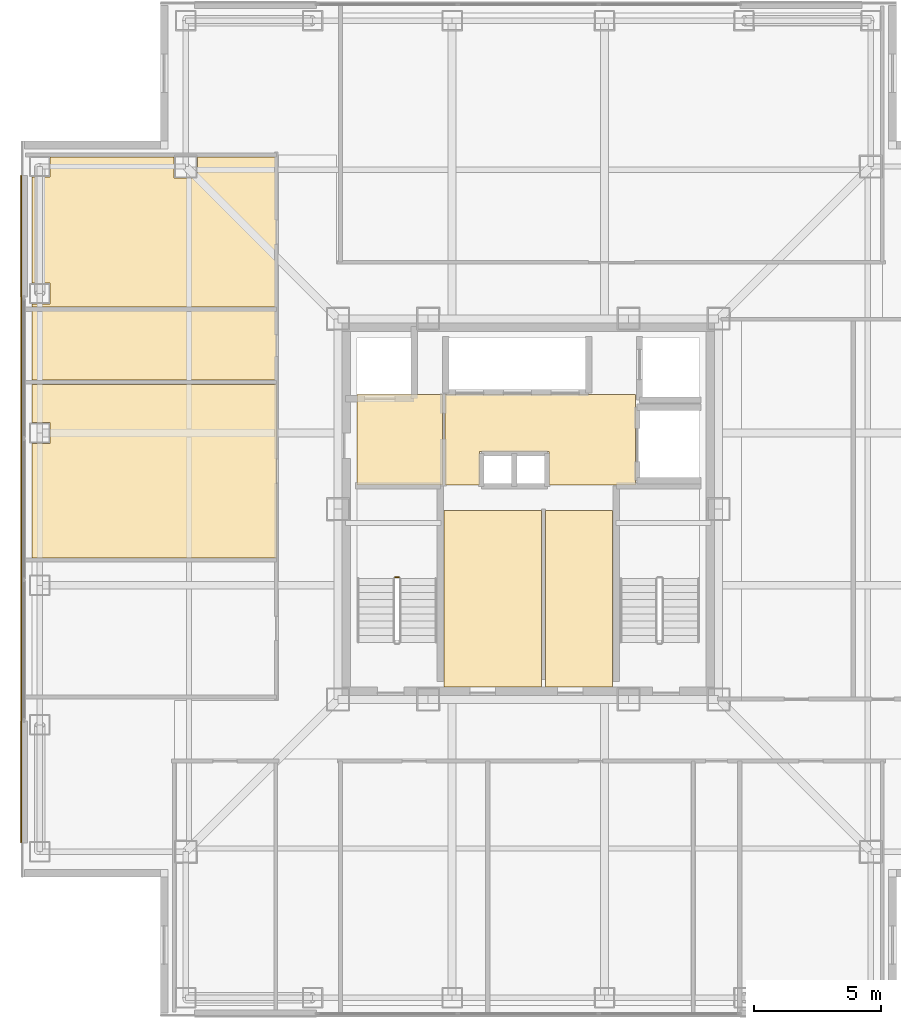
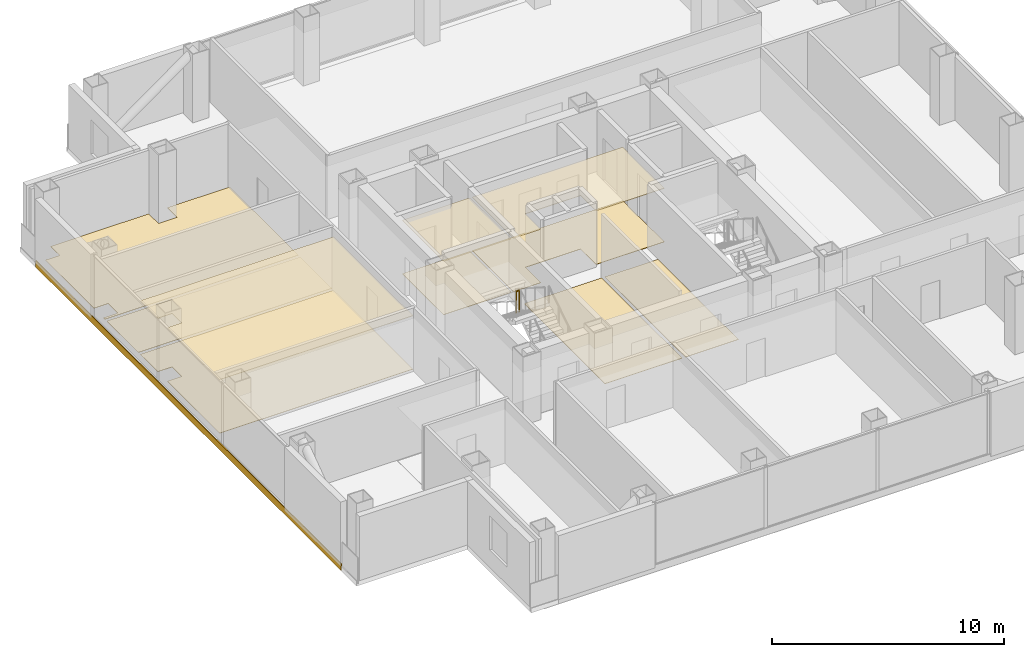
# One storey, part 14 of 17: 11 coverings, 1 railing.
"""IFC4 building model written with IfcOpenShell, lengths in metres."""

import ifcopenshell
import ifcopenshell.guid

model = None  # the IFC model being written
_history = None  # IfcOwnerHistory: only IFC2X3 demands one
_inside = {}  # id of a spatial element -> (the spatial element, [elements in it])
_under = {}  # id of a project, library or spatial element -> (it, [spatial elements below it])
_declared = {}  # id of a project -> (the project, [libraries it declares])
_typed = {}  # id of a type object -> (the type object, [elements of that type])
_made_of = {}  # id of a material, layer set ... -> (it, [elements and type objects made of it])


def new_model(schema):
    """Start an empty IFC model of exactly this schema.

    Asked for "IFC4X3", IfcOpenShell would pick the latest addendum, in which some entities
    have other attributes; the version numbers below select the first issue.
    IFC2X3 requires an IfcOwnerHistory on every rooted entity: one is made here for all.
    """
    global model, _history
    if schema == "IFC4X3":
        model = ifcopenshell.file(schema_version=(4, 3, 0, 0))
    else:
        model = ifcopenshell.file(schema=schema)
    _inside.clear()
    _under.clear()
    _declared.clear()
    _typed.clear()
    _made_of.clear()
    _history = None
    if model.schema == "IFC2X3":
        org = make("IfcOrganization", Name="unknown")
        user = make(
            "IfcPersonAndOrganization",
            ThePerson=make("IfcPerson", FamilyName="unknown"),
            TheOrganization=org,
        )
        app = make(
            "IfcApplication",
            ApplicationDeveloper=org,
            Version="unknown",
            ApplicationFullName="unknown",
            ApplicationIdentifier="unknown",
        )
        _history = make(
            "IfcOwnerHistory",
            OwningUser=user,
            OwningApplication=app,
            ChangeAction="ADDED",
            CreationDate=0,
        )
    return model


def make(cls, **values):
    """One entity of the class cls with the attributes given. An attribute that is None is left unset."""
    return model.create_entity(
        cls, **{name: value for name, value in values.items() if value is not None}
    )


def rooted(cls, **values):
    """An entity with a GlobalId (a new one), such as an element, a storey or a relation."""
    return make(cls, GlobalId=ifcopenshell.guid.new(), OwnerHistory=_history, **values)


def si_unit(unit_type, name, prefix=None):
    """IfcSIUnit, for example si_unit("LENGTHUNIT", "METRE", prefix="MILLI")."""
    return make("IfcSIUnit", UnitType=unit_type, Prefix=prefix, Name=name)


def assignment(units):
    """IfcUnitAssignment: the units of a project."""
    return None if units is None else make("IfcUnitAssignment", Units=units)


def point(xyz):
    """IfcCartesianPoint."""
    return None if xyz is None else make("IfcCartesianPoint", Coordinates=xyz)


def direction(xyz):
    """IfcDirection."""
    return None if xyz is None else make("IfcDirection", DirectionRatios=xyz)


def frame(location, z_axis=None, x_axis=None):
    """IfcAxis2Placement3D, a coordinate frame: its origin and axes. An axis left out is left unset."""
    return make(
        "IfcAxis2Placement3D",
        Location=point(location),
        Axis=direction(z_axis),
        RefDirection=direction(x_axis),
    )


def frame_2d(location, x_axis=None):
    """IfcAxis2Placement2D, a coordinate frame in the plane: its origin and x axis."""
    return make(
        "IfcAxis2Placement2D", Location=point(location), RefDirection=direction(x_axis)
    )


def origin():
    """The frame at (0, 0, 0) with its axes left unset."""
    return frame((0.0, 0.0, 0.0))


def origin_2d():
    """The frame at (0, 0) in the plane with its x axis left unset."""
    return frame_2d((0.0, 0.0))


def place(relative_to, where):
    """IfcLocalPlacement: puts the frame where relative to a parent placement (None: the world)."""
    return make(
        "IfcLocalPlacement", PlacementRelTo=relative_to, RelativePlacement=where
    )


def context(
    kind, dimensions, precision=None, world=None, true_north=None, identifier=None
):
    """IfcGeometricRepresentationContext, for example the 3D "Model" context."""
    return make(
        "IfcGeometricRepresentationContext",
        ContextIdentifier=identifier,
        ContextType=kind,
        CoordinateSpaceDimension=dimensions,
        Precision=precision,
        WorldCoordinateSystem=world,
        TrueNorth=true_north,
    )


def subcontext(parent, identifier, kind, view, scale=None):
    """IfcGeometricRepresentationSubContext, for example "Body" below "Model"."""
    return make(
        "IfcGeometricRepresentationSubContext",
        ContextIdentifier=identifier,
        ContextType=kind,
        ParentContext=parent,
        TargetScale=scale,
        TargetView=view,
    )


def project(units=None, contexts=None):
    """IfcProject with its units and contexts."""
    return rooted(
        "IfcProject",
        Name="project",
        RepresentationContexts=contexts,
        UnitsInContext=assignment(units),
    )


def spatial(cls, under=None, at=None, **own):
    """A site, building, storey or space (cls), placed at a placement, below another one or the project."""
    s = rooted(cls, ObjectPlacement=at, **own)
    if under is not None:
        _under.setdefault(under.id(), (under, []))[1].append(s)
    return s


def polyline(points):
    """IfcPolyline through the points."""
    return make("IfcPolyline", Points=[point(p) for p in points])


def profile(cls, at=None, kind="AREA", **sizes):
    """A parametric profile (cls). Its sizes go by their IFC names, for example OverallWidth=200.0."""
    return make(cls, ProfileType=kind, Position=at, **sizes)


def rectangle(**sizes):
    """IfcRectangleProfileDef."""
    return profile("IfcRectangleProfileDef", **sizes)


def circle(**sizes):
    """IfcCircleProfileDef."""
    return profile("IfcCircleProfileDef", **sizes)


def outline(outer, holes=None, kind="AREA"):
    """IfcArbitraryClosedProfileDef: a profile drawn as a closed curve; with holes, ...WithVoids."""
    if holes is None:
        return make("IfcArbitraryClosedProfileDef", ProfileType=kind, OuterCurve=outer)
    return make(
        "IfcArbitraryProfileDefWithVoids",
        ProfileType=kind,
        OuterCurve=outer,
        InnerCurves=holes,
    )


def extrude(swept, where, along, depth):
    """IfcExtrudedAreaSolid: the profile swept, set in the frame where, extruded along a direction by depth."""
    return make(
        "IfcExtrudedAreaSolid",
        SweptArea=swept,
        Position=where,
        ExtrudedDirection=direction(along),
        Depth=depth,
    )


def shape(context_of_items, identifier, shape_type, items):
    """IfcShapeRepresentation: the items that make up one representation, for example the "Body"."""
    return make(
        "IfcShapeRepresentation",
        ContextOfItems=context_of_items,
        RepresentationIdentifier=identifier,
        RepresentationType=shape_type,
        Items=items,
    )


def material(Name=None, Category=None):
    """IfcMaterial."""
    return make("IfcMaterial", Name=Name, Category=Category)


def layer(
    of_material, thickness, ventilated=None, Name=None, Category=None, Priority=None
):
    """IfcMaterialLayer: one layer of a wall or slab, of a material (None: an air gap)."""
    return make(
        "IfcMaterialLayer",
        Material=of_material,
        LayerThickness=thickness,
        IsVentilated=ventilated,
        Name=Name,
        Category=Category,
        Priority=Priority,
    )


def layer_set(layers, Name=None):
    """IfcMaterialLayerSet."""
    return make("IfcMaterialLayerSet", MaterialLayers=layers, LayerSetName=Name)


def made_of(thing, what):
    """Note that an element or type object is made of a material, layer set ...; save() writes the relation."""
    if what is not None:
        _made_of.setdefault(what.id(), (what, []))[1].append(thing)
    return thing


def type_object(cls, material=None, **own):
    """A type object (cls), such as IfcWallType, which elements share."""
    return made_of(rooted(cls, **own), material)


def element(
    cls,
    number,
    at=None,
    inside=None,
    cuts=None,
    type_object=None,
    material=None,
    context=None,
    identifier="Body",
    shape_type=None,
    held_by="IfcProductDefinitionShape",
    body=None,
    shapes=None,
    **own,
):
    """One element of the class cls, such as IfcWall. Its Tag is "e" and its number.

    at: its placement. inside: the storey or other place that contains it. cuts: it is an
    opening in that element (IfcRelVoidsElement). A single representation is given by context,
    identifier, shape_type and body (its items); several are given by shapes. held_by: the class
    of the entity that holds the representations. save() writes the other relations.
    """
    e = rooted(cls, Tag="e%d" % number, ObjectPlacement=at, **own)
    if body is not None:
        shapes = [shape(context, identifier, shape_type, body)]
    if shapes is not None:
        e.Representation = make(held_by, Representations=shapes)
    if inside is not None:
        _inside.setdefault(inside.id(), (inside, []))[1].append(e)
    if cuts is not None:
        rooted(
            "IfcRelVoidsElement", RelatingBuildingElement=cuts, RelatedOpeningElement=e
        )
    if type_object is not None:
        _typed.setdefault(type_object.id(), (type_object, []))[1].append(e)
    return made_of(e, material)


def aggregate(whole, parts):
    """IfcRelAggregates: a whole, such as a stair, and the parts it consists of."""
    return rooted("IfcRelAggregates", RelatingObject=whole, RelatedObjects=parts)


def save(model, path):
    """Write the relations noted so far, then the file.

    IfcRelAggregates (storeys below a building ...), IfcRelContainedInSpatialStructure (elements
    in a storey), IfcRelDefinesByType, IfcRelAssociatesMaterial and IfcRelDeclares: one each for
    every whole, place, type object, material and project.
    """
    for whole, parts in _under.values():
        aggregate(whole, parts)
    for where, things in _inside.values():
        rooted(
            "IfcRelContainedInSpatialStructure",
            RelatedElements=things,
            RelatingStructure=where,
        )
    for kind, things in _typed.values():
        rooted("IfcRelDefinesByType", RelatedObjects=things, RelatingType=kind)
    for what, things in _made_of.values():
        rooted("IfcRelAssociatesMaterial", RelatedObjects=things, RelatingMaterial=what)
    for by, libraries in _declared.values():
        rooted("IfcRelDeclares", RelatingContext=by, RelatedDefinitions=libraries)
    model.write(path)


model = new_model("IFC4")

# Units and contexts
model_context = context("Model", 3, precision=1e-05, world=origin(), true_north=direction((0.0, 1.0)))
body_context = subcontext(model_context, "Body", "Model", "MODEL_VIEW")
ifc_project = project(units=[si_unit("LENGTHUNIT", "METRE"), si_unit("AREAUNIT", "SQUARE_METRE"), si_unit("VOLUMEUNIT", "CUBIC_METRE"), si_unit("PLANEANGLEUNIT", "RADIAN"), si_unit("MASSUNIT", "GRAM", prefix="KILO")], contexts=[model_context])

# Site, building, storey
site_placement = place(None, origin())
site = spatial("IfcSite", under=ifc_project, at=site_placement, CompositionType="ELEMENT")
building_placement = place(site_placement, origin())
building = spatial("IfcBuilding", under=site, at=building_placement, Name="Trevonay Congress Spire", CompositionType="ELEMENT")
storey_placement = place(building_placement, frame((0.0, 0.0, 213.0)))
storey = spatial("IfcBuildingStorey", under=building, at=storey_placement, Name="L55", CompositionType="ELEMENT", Elevation=213.0)

# Coverings
ifc_material_1 = material(Name="Acoustic Mineral Fibre Board", Category="gypsum")
ifc_layer_1 = layer(ifc_material_1, 0.02490234375, Name="Acoustic Mineral Fibre Board")
ifc_layer_set_1 = layer_set([ifc_layer_1], Name="Acoustic Mineral Fibre Board")
covering_type_1 = type_object("IfcCoveringType", Name="COV-CEIL-ACOUSTIC", PredefinedType="CEILING", material=ifc_layer_set_1)
covering_1_placement = place(storey_placement, frame((0.0, 0.0, 2.81005859375)))
element("IfcCovering", 1, at=covering_1_placement, inside=storey, type_object=covering_type_1, Name="L55 Firefighting Lift Lobby West acoustic suspended ceiling", PredefinedType="CEILING", context=body_context, shape_type="SweptSolid", body=[
    extrude(outline(polyline([(-6.75, 0.9599609375), (-3.3798828125, 0.9599609375), (-3.3798828125, 4.52001953125), (-6.75, 4.52001953125), (-6.75, 0.9599609375)])), origin(), (0.0, 0.0, 1.0), 0.02490234375),
])
covering_2_placement = place(storey_placement, frame((0.0, 0.0, 2.81005859375)))
element("IfcCovering", 2, at=covering_2_placement, inside=storey, type_object=covering_type_1, Name="L55 Central and High-Rise Passenger Lift Lobby acoustic suspended ceiling", PredefinedType="CEILING", context=body_context, shape_type="SweptSolid", body=[
    extrude(outline(polyline([(-3.280029296875, 0.949951171875), (-1.919921875, 0.949951171875), (-1.919921875, 2.280029296875), (0.820068359375, 2.280029296875), (0.820068359375, 0.949951171875), (4.219970703125, 0.949951171875), (4.219970703125, 4.52001953125), (-3.280029296875, 4.52001953125), (-3.280029296875, 0.949951171875)])), origin(), (0.0, 0.0, 1.0), 0.02490234375),
])
covering_3_placement = place(storey_placement, frame((0.0, 0.0, 2.81005859375)))
element("IfcCovering", 3, at=covering_3_placement, inside=storey, type_object=covering_type_1, Name="L55 Investor Relations Office acoustic suspended ceiling", PredefinedType="CEILING", context=body_context, shape_type="SweptSolid", body=[
    extrude(outline(polyline([(-19.550048828125, 4.919921875), (-9.929931640625, 4.919921875), (-9.929931640625, -1.919921875), (-19.550048828125, -1.919921875), (-19.550048828125, 2.590087890625), (-18.840087890625, 2.590087890625), (-18.840087890625, 3.409912109375), (-19.550048828125, 3.409912109375), (-19.550048828125, 4.919921875)])), origin(), (0.0, 0.0, 1.0), 0.02490234375),
])
ifc_material_2 = material(Name="Polished Granite Floor Tile", Category="masonry")
ifc_layer_2 = layer(ifc_material_2, 0.02001953125, Name="Polished Granite Floor Tile")
ifc_layer_set_2 = layer_set([ifc_layer_2], Name="Polished Granite Floor Tile")
covering_type_2 = type_object("IfcCoveringType", Name="COV-FLOOR-STONE", PredefinedType="FLOORING", material=ifc_layer_set_2)
covering_4_placement = place(storey_placement, origin())
element("IfcCovering", 4, at=covering_4_placement, inside=storey, type_object=covering_type_2, Name="L55 Firefighting Lift Lobby West floor finish", PredefinedType="FLOORING", context=body_context, shape_type="SweptSolid", body=[
    extrude(outline(polyline([(-6.75, 0.9599609375), (-3.3798828125, 0.9599609375), (-3.3798828125, 4.52001953125), (-6.75, 4.52001953125), (-6.75, 0.9599609375)])), origin(), (0.0, 0.0, 1.0), 0.02001953125),
])
covering_5_placement = place(storey_placement, origin())
element("IfcCovering", 5, at=covering_5_placement, inside=storey, type_object=covering_type_2, Name="L55 Central and High-Rise Passenger Lift Lobby floor finish", PredefinedType="FLOORING", context=body_context, shape_type="SweptSolid", body=[
    extrude(outline(polyline([(-3.280029296875, 0.949951171875), (-1.919921875, 0.949951171875), (-1.919921875, 2.280029296875), (0.820068359375, 2.280029296875), (0.820068359375, 0.949951171875), (4.219970703125, 0.949951171875), (4.219970703125, 4.52001953125), (-3.280029296875, 4.52001953125), (-3.280029296875, 0.949951171875)])), origin(), (0.0, 0.0, 1.0), 0.02001953125),
])
covering_6_placement = place(storey_placement, origin())
element("IfcCovering", 6, at=covering_6_placement, inside=storey, type_object=covering_type_2, Name="L55 Core Electrical Sub-Board Room floor finish", PredefinedType="FLOORING", context=body_context, shape_type="SweptSolid", body=[
    extrude(outline(polyline([(-3.320068359375, -7.0), (0.52001953125, -7.0), (0.52001953125, -0.050048828125), (-3.320068359375, -0.050048828125), (-3.320068359375, -7.0)])), origin(), (0.0, 0.0, 1.0), 0.02001953125),
])
covering_7_placement = place(storey_placement, origin())
element("IfcCovering", 7, at=covering_7_placement, inside=storey, type_object=covering_type_2, Name="L55 Cleaner and Housekeeping Store floor finish", PredefinedType="FLOORING", context=body_context, shape_type="SweptSolid", body=[
    extrude(outline(polyline([(0.679931640625, -7.0), (3.320068359375, -7.0), (3.320068359375, -0.050048828125), (0.679931640625, -0.050048828125), (0.679931640625, -7.0)])), origin(), (0.0, 0.0, 1.0), 0.02001953125),
])
covering_8_placement = place(storey_placement, origin())
element("IfcCovering", 8, at=covering_8_placement, inside=storey, type_object=covering_type_2, Name="L55 Male Restroom WC floor finish", PredefinedType="FLOORING", context=body_context, shape_type="SweptSolid", body=[
    extrude(outline(polyline([(-19.550048828125, 5.080078125), (-9.929931640625, 5.080078125), (-9.929931640625, 7.800048828125), (-19.550048828125, 7.800048828125), (-19.550048828125, 5.080078125)])), origin(), (0.0, 0.0, 1.0), 0.02001953125),
])
covering_9_placement = place(storey_placement, origin())
element("IfcCovering", 9, at=covering_9_placement, inside=storey, type_object=covering_type_2, Name="L55 Floor Supplies and Copy Room floor finish", PredefinedType="FLOORING", context=body_context, shape_type="SweptSolid", body=[
    extrude(outline(polyline([(-9.929931640625, 13.8701171875), (-9.929931640625, 7.9599609375), (-19.550048828125, 7.9599609375), (-19.550048828125, 8.090087890625), (-18.840087890625, 8.090087890625), (-18.840087890625, 8.909912109375), (-19.550048828125, 8.909912109375), (-19.550048828125, 13.090087890625), (-18.840087890625, 13.090087890625), (-18.840087890625, 13.8701171875), (-13.9599609375, 13.8701171875), (-13.9599609375, 13.0400390625), (-13.0400390625, 13.0400390625), (-13.0400390625, 13.8701171875), (-9.929931640625, 13.8701171875)])), origin(), (0.0, 0.0, 1.0), 0.02001953125),
])
ifc_material_3 = material(Name="Engineered Oak Flooring", Category="wood")
ifc_layer_3 = layer(ifc_material_3, 0.01806640625, Name="Engineered Oak Flooring")
ifc_layer_set_3 = layer_set([ifc_layer_3], Name="Engineered Oak Flooring")
covering_type_3 = type_object("IfcCoveringType", Name="COV-FLOOR-TIMBER", PredefinedType="FLOORING", material=ifc_layer_set_3)
covering_10_placement = place(storey_placement, origin())
element("IfcCovering", 10, at=covering_10_placement, inside=storey, type_object=covering_type_3, Name="L55 Investor Relations Office floor finish", PredefinedType="FLOORING", context=body_context, shape_type="SweptSolid", body=[
    extrude(outline(polyline([(-19.550048828125, 4.919921875), (-9.929931640625, 4.919921875), (-9.929931640625, -1.919921875), (-19.550048828125, -1.919921875), (-19.550048828125, 2.590087890625), (-18.840087890625, 2.590087890625), (-18.840087890625, 3.409912109375), (-19.550048828125, 3.409912109375), (-19.550048828125, 4.919921875)])), origin(), (0.0, 0.0, 1.0), 0.01806640625),
])
ifc_material_4 = material(Name="Pale Anodised Aluminium EN AW-6063-T6", Category="aluminium")
ifc_layer_4 = layer(ifc_material_4, 0.0400390625, Name="Pale Anodised Aluminium EN AW-6063-T6")
ifc_layer_set_4 = layer_set([ifc_layer_4], Name="Pale Anodised Aluminium EN AW-6063-T6")
covering_type_4 = type_object("IfcCoveringType", Name="COV-SPANDREL-PALE-METAL", PredefinedType="CLADDING", material=ifc_layer_set_4)
covering_11_placement = place(storey_placement, frame((-19.97998046875, -13.14990234375, -0.239990234375), z_axis=(0.0, 0.0, 1.0), x_axis=(0.0, 1.0, 0.0)))
element("IfcCovering", 11, at=covering_11_placement, inside=storey, type_object=covering_type_4, Name="L55 W pale-metal slab-edge spandrel cladding", PredefinedType="CLADDING", context=body_context, shape_type="SweptSolid", body=[
    extrude(rectangle(XDim=26.2998046875, YDim=0.0400390625, at=frame_2d((13.14990234375, 0.0))), origin(), (0.0, 0.0, 1.0), 0.360107421875),
])

# Railing
railing_type = type_object("IfcRailingType", Name="RAL-STAIR-GUARD-110", PredefinedType="GUARDRAIL", material=ifc_material_4)
railing_placement = place(storey_placement, frame((-5.10009765625, -2.679931640625, 1.800048828125)))
element("IfcRailing", 12, at=railing_placement, inside=storey, type_object=railing_type, Name="L55 ST-1 stair guard 2", PredefinedType="GUARDRAIL", context=body_context, shape_type="SweptSolid", body=[
    extrude(circle(Radius=0.02392578125, at=origin_2d()), frame((0.0, 0.0, 1.1259765625), z_axis=(-1.0, 0.0, 0.0), x_axis=(0.0, -1.0, 0.0)), (0.0, 0.0, 1.0), 0.14990234375),
    extrude(circle(Radius=0.02099609375, at=origin_2d()), origin(), (0.0, 0.0, 1.0), 1.101806640625),
    extrude(circle(Radius=0.02099609375, at=origin_2d()), frame((-0.14990234375, 0.0, 0.0)), (0.0, 0.0, 1.0), 1.101806640625),
])

save(model, "model.ifc")
